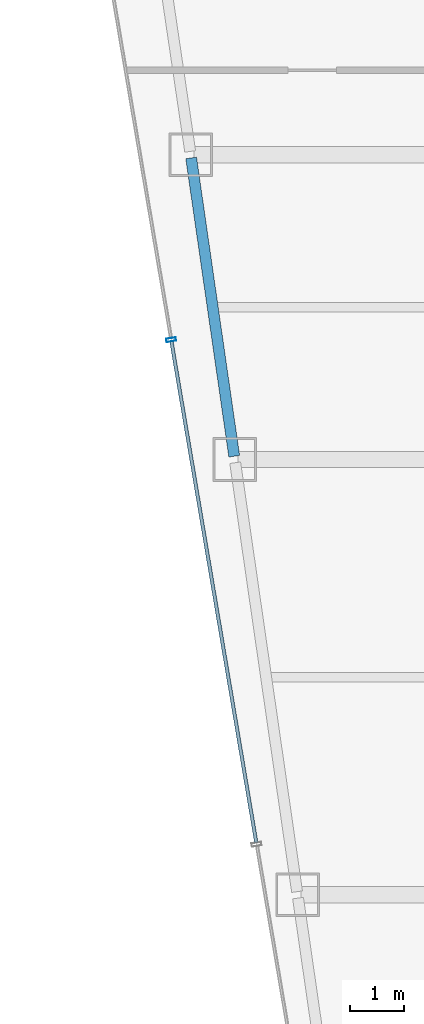
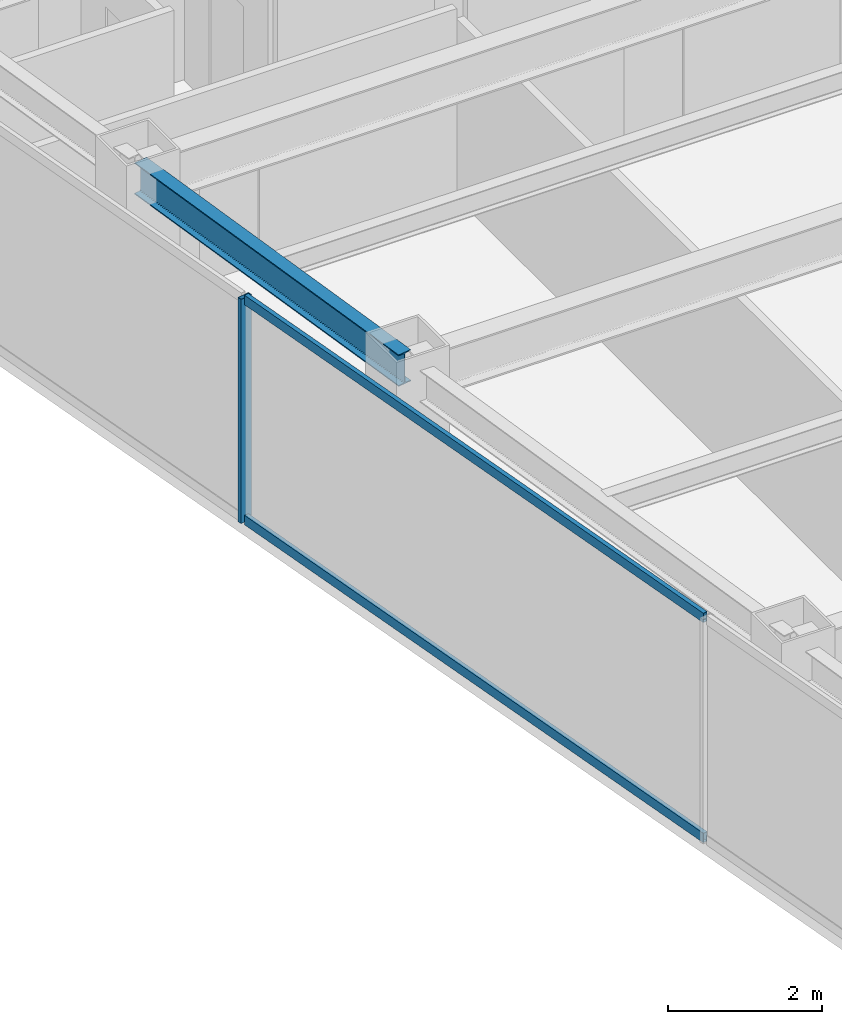
# One storey, part 9 of 36: 3 members, 1 beam, 1 element without a shape of its own.
"""IFC4 building model written with IfcOpenShell, lengths in metres."""

import ifcopenshell
import ifcopenshell.guid

model = None  # the IFC model being written
_history = None  # IfcOwnerHistory: only IFC2X3 demands one
_inside = {}  # id of a spatial element -> (the spatial element, [elements in it])
_under = {}  # id of a project, library or spatial element -> (it, [spatial elements below it])
_declared = {}  # id of a project -> (the project, [libraries it declares])
_typed = {}  # id of a type object -> (the type object, [elements of that type])
_made_of = {}  # id of a material, layer set ... -> (it, [elements and type objects made of it])


def new_model(schema):
    """Start an empty IFC model of exactly this schema.

    Asked for "IFC4X3", IfcOpenShell would pick the latest addendum, in which some entities
    have other attributes; the version numbers below select the first issue.
    IFC2X3 requires an IfcOwnerHistory on every rooted entity: one is made here for all.
    """
    global model, _history
    if schema == "IFC4X3":
        model = ifcopenshell.file(schema_version=(4, 3, 0, 0))
    else:
        model = ifcopenshell.file(schema=schema)
    _inside.clear()
    _under.clear()
    _declared.clear()
    _typed.clear()
    _made_of.clear()
    _history = None
    if model.schema == "IFC2X3":
        org = make("IfcOrganization", Name="unknown")
        user = make(
            "IfcPersonAndOrganization",
            ThePerson=make("IfcPerson", FamilyName="unknown"),
            TheOrganization=org,
        )
        app = make(
            "IfcApplication",
            ApplicationDeveloper=org,
            Version="unknown",
            ApplicationFullName="unknown",
            ApplicationIdentifier="unknown",
        )
        _history = make(
            "IfcOwnerHistory",
            OwningUser=user,
            OwningApplication=app,
            ChangeAction="ADDED",
            CreationDate=0,
        )
    return model


def make(cls, **values):
    """One entity of the class cls with the attributes given. An attribute that is None is left unset."""
    return model.create_entity(
        cls, **{name: value for name, value in values.items() if value is not None}
    )


def rooted(cls, **values):
    """An entity with a GlobalId (a new one), such as an element, a storey or a relation."""
    return make(cls, GlobalId=ifcopenshell.guid.new(), OwnerHistory=_history, **values)


def si_unit(unit_type, name, prefix=None):
    """IfcSIUnit, for example si_unit("LENGTHUNIT", "METRE", prefix="MILLI")."""
    return make("IfcSIUnit", UnitType=unit_type, Prefix=prefix, Name=name)


def assignment(units):
    """IfcUnitAssignment: the units of a project."""
    return None if units is None else make("IfcUnitAssignment", Units=units)


def point(xyz):
    """IfcCartesianPoint."""
    return None if xyz is None else make("IfcCartesianPoint", Coordinates=xyz)


def direction(xyz):
    """IfcDirection."""
    return None if xyz is None else make("IfcDirection", DirectionRatios=xyz)


def frame(location, z_axis=None, x_axis=None):
    """IfcAxis2Placement3D, a coordinate frame: its origin and axes. An axis left out is left unset."""
    return make(
        "IfcAxis2Placement3D",
        Location=point(location),
        Axis=direction(z_axis),
        RefDirection=direction(x_axis),
    )


def frame_2d(location, x_axis=None):
    """IfcAxis2Placement2D, a coordinate frame in the plane: its origin and x axis."""
    return make(
        "IfcAxis2Placement2D", Location=point(location), RefDirection=direction(x_axis)
    )


def origin():
    """The frame at (0, 0, 0) with its axes left unset."""
    return frame((0.0, 0.0, 0.0))


def origin_2d():
    """The frame at (0, 0) in the plane with its x axis left unset."""
    return frame_2d((0.0, 0.0))


def place(relative_to, where):
    """IfcLocalPlacement: puts the frame where relative to a parent placement (None: the world)."""
    return make(
        "IfcLocalPlacement", PlacementRelTo=relative_to, RelativePlacement=where
    )


def context(
    kind, dimensions, precision=None, world=None, true_north=None, identifier=None
):
    """IfcGeometricRepresentationContext, for example the 3D "Model" context."""
    return make(
        "IfcGeometricRepresentationContext",
        ContextIdentifier=identifier,
        ContextType=kind,
        CoordinateSpaceDimension=dimensions,
        Precision=precision,
        WorldCoordinateSystem=world,
        TrueNorth=true_north,
    )


def subcontext(parent, identifier, kind, view, scale=None):
    """IfcGeometricRepresentationSubContext, for example "Body" below "Model"."""
    return make(
        "IfcGeometricRepresentationSubContext",
        ContextIdentifier=identifier,
        ContextType=kind,
        ParentContext=parent,
        TargetScale=scale,
        TargetView=view,
    )


def project(units=None, contexts=None):
    """IfcProject with its units and contexts."""
    return rooted(
        "IfcProject",
        Name="project",
        RepresentationContexts=contexts,
        UnitsInContext=assignment(units),
    )


def spatial(cls, under=None, at=None, **own):
    """A site, building, storey or space (cls), placed at a placement, below another one or the project."""
    s = rooted(cls, ObjectPlacement=at, **own)
    if under is not None:
        _under.setdefault(under.id(), (under, []))[1].append(s)
    return s


def profile(cls, at=None, kind="AREA", **sizes):
    """A parametric profile (cls). Its sizes go by their IFC names, for example OverallWidth=200.0."""
    return make(cls, ProfileType=kind, Position=at, **sizes)


def hollow_rectangle(**sizes):
    """IfcRectangleHollowProfileDef."""
    return profile("IfcRectangleHollowProfileDef", **sizes)


def i_section(**sizes):
    """IfcIShapeProfileDef."""
    return profile("IfcIShapeProfileDef", **sizes)


def extrude(swept, where, along, depth):
    """IfcExtrudedAreaSolid: the profile swept, set in the frame where, extruded along a direction by depth."""
    return make(
        "IfcExtrudedAreaSolid",
        SweptArea=swept,
        Position=where,
        ExtrudedDirection=direction(along),
        Depth=depth,
    )


def shape(context_of_items, identifier, shape_type, items):
    """IfcShapeRepresentation: the items that make up one representation, for example the "Body"."""
    return make(
        "IfcShapeRepresentation",
        ContextOfItems=context_of_items,
        RepresentationIdentifier=identifier,
        RepresentationType=shape_type,
        Items=items,
    )


def material(Name=None, Category=None):
    """IfcMaterial."""
    return make("IfcMaterial", Name=Name, Category=Category)


def material_profile(
    of_material, cross_section, Name=None, Category=None, Priority=None
):
    """IfcMaterialProfile: a cross section and its material."""
    return make(
        "IfcMaterialProfile",
        Name=Name,
        Material=of_material,
        Profile=cross_section,
        Priority=Priority,
        Category=Category,
    )


def profile_set(profiles, Name=None, composite=None):
    """IfcMaterialProfileSet."""
    return make(
        "IfcMaterialProfileSet",
        Name=Name,
        MaterialProfiles=profiles,
        CompositeProfile=composite,
    )


def made_of(thing, what):
    """Note that an element or type object is made of a material, layer set ...; save() writes the relation."""
    if what is not None:
        _made_of.setdefault(what.id(), (what, []))[1].append(thing)
    return thing


def type_object(cls, material=None, **own):
    """A type object (cls), such as IfcWallType, which elements share."""
    return made_of(rooted(cls, **own), material)


def element(
    cls,
    number,
    at=None,
    inside=None,
    cuts=None,
    type_object=None,
    material=None,
    context=None,
    identifier="Body",
    shape_type=None,
    held_by="IfcProductDefinitionShape",
    body=None,
    shapes=None,
    **own,
):
    """One element of the class cls, such as IfcWall. Its Tag is "e" and its number.

    at: its placement. inside: the storey or other place that contains it. cuts: it is an
    opening in that element (IfcRelVoidsElement). A single representation is given by context,
    identifier, shape_type and body (its items); several are given by shapes. held_by: the class
    of the entity that holds the representations. save() writes the other relations.
    """
    e = rooted(cls, Tag="e%d" % number, ObjectPlacement=at, **own)
    if body is not None:
        shapes = [shape(context, identifier, shape_type, body)]
    if shapes is not None:
        e.Representation = make(held_by, Representations=shapes)
    if inside is not None:
        _inside.setdefault(inside.id(), (inside, []))[1].append(e)
    if cuts is not None:
        rooted(
            "IfcRelVoidsElement", RelatingBuildingElement=cuts, RelatedOpeningElement=e
        )
    if type_object is not None:
        _typed.setdefault(type_object.id(), (type_object, []))[1].append(e)
    return made_of(e, material)


def aggregate(whole, parts):
    """IfcRelAggregates: a whole, such as a stair, and the parts it consists of."""
    return rooted("IfcRelAggregates", RelatingObject=whole, RelatedObjects=parts)


def save(model, path):
    """Write the relations noted so far, then the file.

    IfcRelAggregates (storeys below a building ...), IfcRelContainedInSpatialStructure (elements
    in a storey), IfcRelDefinesByType, IfcRelAssociatesMaterial and IfcRelDeclares: one each for
    every whole, place, type object, material and project.
    """
    for whole, parts in _under.values():
        aggregate(whole, parts)
    for where, things in _inside.values():
        rooted(
            "IfcRelContainedInSpatialStructure",
            RelatedElements=things,
            RelatingStructure=where,
        )
    for kind, things in _typed.values():
        rooted("IfcRelDefinesByType", RelatedObjects=things, RelatingType=kind)
    for what, things in _made_of.values():
        rooted("IfcRelAssociatesMaterial", RelatedObjects=things, RelatingMaterial=what)
    for by, libraries in _declared.values():
        rooted("IfcRelDeclares", RelatingContext=by, RelatedDefinitions=libraries)
    model.write(path)


model = new_model("IFC4")

# Units and contexts
model_context = context("Model", 3, precision=1e-05, world=origin(), true_north=direction((0.0, 1.0)))
body_context = subcontext(model_context, "Body", "Model", "MODEL_VIEW")
ifc_project = project(units=[si_unit("LENGTHUNIT", "METRE"), si_unit("AREAUNIT", "SQUARE_METRE"), si_unit("VOLUMEUNIT", "CUBIC_METRE"), si_unit("PLANEANGLEUNIT", "RADIAN"), si_unit("MASSUNIT", "GRAM", prefix="KILO")], contexts=[model_context])

# Site, building, storey
site_placement = place(None, origin())
site = spatial("IfcSite", under=ifc_project, at=site_placement, CompositionType="ELEMENT")
building_placement = place(site_placement, origin())
building = spatial("IfcBuilding", under=site, at=building_placement, Name="Saevonmaru Cultural Tower", CompositionType="ELEMENT")
storey_placement = place(building_placement, frame((0.0, 0.0, 186.60009765625)))
storey = spatial("IfcBuildingStorey", under=building, at=storey_placement, Name="L42", CompositionType="ELEMENT", Elevation=186.60009765625)

# Beam
ifc_material_1 = material(Name="Steel SM355", Category="steel")
ifc_material_profile_1 = material_profile(ifc_material_1, i_section(OverallWidth=0.199951171875, OverallDepth=0.5, WebThickness=0.010009765625, FlangeThickness=0.01611328125, FilletRadius=0.02001953125, at=origin_2d()), Name="H-500x200x10x16")
ifc_profile_set_1 = profile_set([ifc_material_profile_1], Name="Steel SM355")
beam_type = type_object("IfcBeamType", Name="BM-SP-H500", PredefinedType="SPANDREL", material=ifc_profile_set_1)
beam_placement = place(storey_placement, frame((8.308349609375, 32.059326171875, 3.2998046875), z_axis=(-0.142964121327, 0.989727871697, 0.0), x_axis=(-0.989727871697, -0.142964121327, 0.0)))
element("IfcBeam", 1, at=beam_placement, inside=storey, type_object=beam_type, Name="L42 West Splayed Spandrel 3", PredefinedType="SPANDREL", context=body_context, shape_type="SweptSolid", body=[
    extrude(i_section(OverallWidth=0.199951171875, OverallDepth=0.5, WebThickness=0.010009765625, FlangeThickness=0.01611328125, FilletRadius=0.02001953125, at=origin_2d()), origin(), (0.0, 0.0, 1.0), 5.5380859375),
])

# Curtain wall, members
ifc_material_2 = material(Name="Satin Bronze Anodised Aluminium", Category="aluminium")
curtain_wall_type = type_object("IfcCurtainWallType", Name="CW-TYP-B", PredefinedType="NOTDEFINED", material=ifc_material_2)
curtain_wall_placement = place(storey_placement, origin())
curtain_wall = element("IfcCurtainWall", 2, at=curtain_wall_placement, inside=storey, type_object=curtain_wall_type, Name="L42 Unitised Curtain Wall E12", PredefinedType="NOTDEFINED")
ifc_material_profile_2 = material_profile(ifc_material_2, hollow_rectangle(XDim=0.06494140625, YDim=0.179931640625, WallThickness=0.00390625, at=origin_2d()), Name="ALU-MULL-180x65x4")
ifc_profile_set_2 = profile_set([ifc_material_profile_2], Name="Satin Bronze Anodised Aluminium")
member_type_1 = type_object("IfcMemberType", Name="ML-CW-180x65", PredefinedType="MULLION", material=ifc_profile_set_2)
member_1_placement = place(storey_placement, frame((7.14892578125, 34.199951171875, 0.0), z_axis=(0.0, 0.0, 1.0), x_axis=(0.16692169721, -0.985970155228, 0.0)))
member_1 = element("IfcMember", 3, at=member_1_placement, type_object=member_type_1, Name="CW-TW-L42-E12 mullion 3", PredefinedType="MULLION", context=body_context, shape_type="SweptSolid", body=[
    extrude(hollow_rectangle(XDim=0.06494140625, YDim=0.179931640625, WallThickness=0.00390625, at=origin_2d()), origin(), (0.0, 0.0, 1.0), 3.5498046875),
])
ifc_material_profile_3 = material_profile(ifc_material_2, hollow_rectangle(XDim=0.06494140625, YDim=0.14990234375, WallThickness=0.00390625, at=origin_2d()), Name="ALU-TRAN-150x65x4")
ifc_profile_set_3 = profile_set([ifc_material_profile_3], Name="Satin Bronze Anodised Aluminium")
member_type_2 = type_object("IfcMemberType", Name="TR-CW-150x65", PredefinedType="USERDEFINED", material=ifc_profile_set_3)
member_2_placement = place(storey_placement, frame((7.154296875, 34.16796875, 0.032470703125), z_axis=(0.166921263871, -0.985970228591, 0.0), x_axis=(0.985970228591, 0.166921263871, 0.0)))
member_2 = element("IfcMember", 4, at=member_2_placement, type_object=member_type_2, Name="CW-TW-L42-E12 transom 3.1", ObjectType="TRANSOM", PredefinedType="USERDEFINED", context=body_context, shape_type="SweptSolid", body=[
    extrude(hollow_rectangle(XDim=0.06494140625, YDim=0.14990234375, WallThickness=0.00390625, at=origin_2d()), origin(), (0.0, 0.0, 1.0), 9.33740234375),
])
member_3_placement = place(storey_placement, frame((7.154296875, 34.16796875, 3.517333984375), z_axis=(0.166921263871, -0.985970228591, 0.0), x_axis=(0.985970228591, 0.166921263871, 0.0)))
member_3 = element("IfcMember", 5, at=member_3_placement, type_object=member_type_2, Name="CW-TW-L42-E12 transom 3.2", ObjectType="TRANSOM", PredefinedType="USERDEFINED", context=body_context, shape_type="SweptSolid", body=[
    extrude(hollow_rectangle(XDim=0.06494140625, YDim=0.14990234375, WallThickness=0.00390625, at=origin_2d()), origin(), (0.0, 0.0, 1.0), 9.33740234375),
])
aggregate(curtain_wall, [member_1, member_2, member_3])

save(model, "model.ifc")
